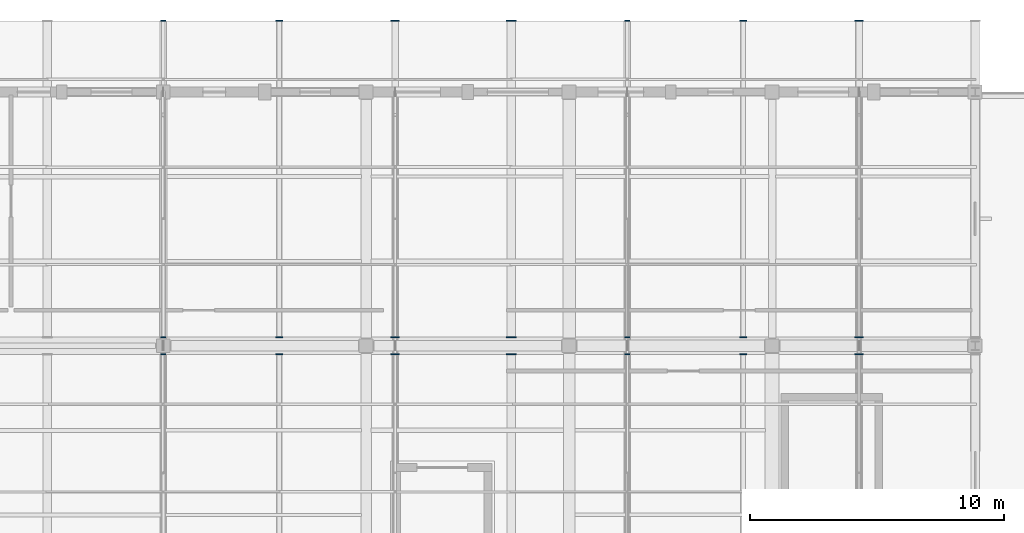
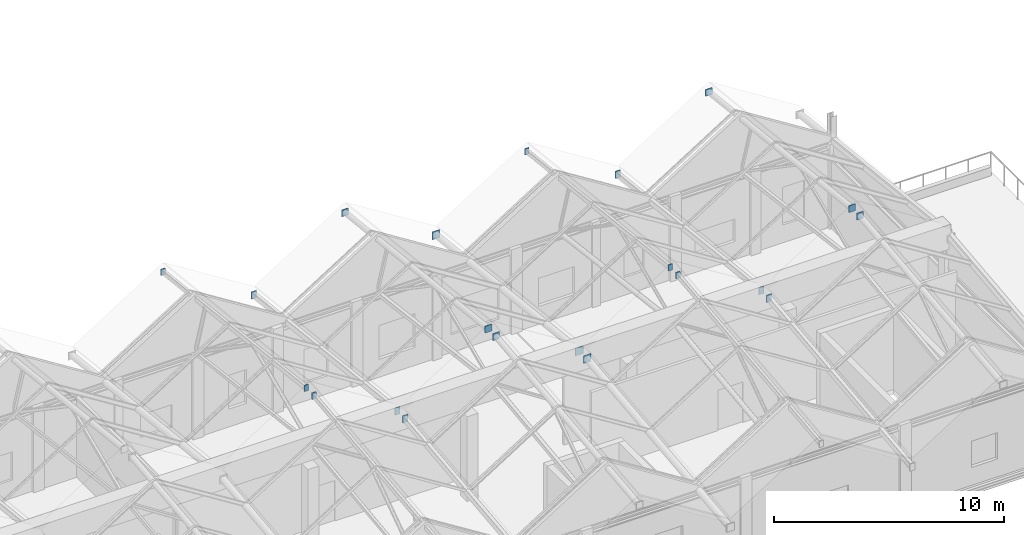
# One storey, part 160 of 183: 21 discrete accessories.
"""IFC4 building model written with IfcOpenShell, lengths in metres."""

from ifc_helpers import new_model, si_unit, direction, frame, origin, origin_2d, place, context, subcontext, project, spatial, rectangle, extrude, material, type_object, element, save


model = new_model("IFC4")

# Units and contexts
model_context = context("Model", 3, precision=1e-05, world=origin(), true_north=direction((0.0, 1.0)))
body_context = subcontext(model_context, "Body", "Model", "MODEL_VIEW")
ifc_project = project(units=[si_unit("LENGTHUNIT", "METRE"), si_unit("AREAUNIT", "SQUARE_METRE"), si_unit("VOLUMEUNIT", "CUBIC_METRE"), si_unit("PLANEANGLEUNIT", "RADIAN"), si_unit("MASSUNIT", "GRAM", prefix="KILO")], contexts=[model_context])

# Site, building, storey
site_placement = place(None, origin())
site = spatial("IfcSite", under=ifc_project, at=site_placement, CompositionType="ELEMENT")
building_placement = place(site_placement, origin())
building = spatial("IfcBuilding", under=site, at=building_placement, Name="Luwemba Playhouse", CompositionType="ELEMENT")
storey_placement = place(building_placement, frame((0.0, 0.0, 4.800048828125)))
storey = spatial("IfcBuildingStorey", under=building, at=storey_placement, Name="L01", CompositionType="ELEMENT", Elevation=4.800048828125)

# Discrete accessories
ifc_material = material(Name="Steel S355", Category="steel")
discrete_accessory_type = type_object("IfcDiscreteAccessoryType", Name="ACC-ENDCAP-S355", PredefinedType="BRACKET", material=ifc_material)
for number, where, z_axis, x_axis, name in (
    (1, (36.0, 104.664794921875, 8.21630859375), (0.0, 0.0, 1.0), (1.0, 0.0, 0.0), "Welded RHS end cap plate 0466"),
    (2, (36.0, 105.335205078125, 8.21630859375), (0.0, 0.0, 1.0), (1.0, 0.0, 0.0), "Welded RHS end cap plate 0467"),
    (3, (36.0, 117.81494140625, 6.81640625), (0.0, 0.0, 1.0), (1.0, 0.0, 0.0), "Welded RHS end cap plate 0468"),
):
    element("IfcDiscreteAccessory", number, at=place(storey_placement, frame(where, z_axis=z_axis, x_axis=x_axis)), inside=storey, type_object=discrete_accessory_type, Name=name, PredefinedType="BRACKET", context=body_context, shape_type="SweptSolid", body=[
        extrude(rectangle(XDim=0.2099609375, YDim=0.044921875, at=origin_2d()), origin(), (0.0, 0.0, 1.0), 0.330078125),
    ])
for number, where, z_axis, x_axis, name in (
    (4, (40.5712890625, 104.664794921875, 5.370361328125), (0.0, 0.0, 1.0), (1.0, 0.0, 0.0), "Welded RHS end cap plate 0470"),
    (5, (40.5712890625, 105.335205078125, 5.370361328125), (0.0, 0.0, 1.0), (1.0, 0.0, 0.0), "Welded RHS end cap plate 0471"),
    (6, (40.5712890625, 117.81494140625, 3.970458984375), (0.0, 0.0, 1.0), (1.0, 0.0, 0.0), "Welded RHS end cap plate 0472"),
):
    element("IfcDiscreteAccessory", number, at=place(storey_placement, frame(where, z_axis=z_axis, x_axis=x_axis)), inside=storey, type_object=discrete_accessory_type, Name=name, PredefinedType="BRACKET", context=body_context, shape_type="SweptSolid", body=[
        extrude(rectangle(XDim=0.260009765625, YDim=0.044921875, at=origin_2d()), origin(), (0.0, 0.0, 1.0), 0.3798828125),
    ])
for number, where, z_axis, x_axis, name in (
    (7, (45.142822265625, 104.664794921875, 8.154541015625), (0.0, 0.0, 1.0), (1.0, 0.0, 0.0), "Welded RHS end cap plate 0474"),
    (8, (45.142822265625, 105.335205078125, 8.154541015625), (0.0, 0.0, 1.0), (1.0, 0.0, 0.0), "Welded RHS end cap plate 0475"),
    (9, (45.142822265625, 117.81494140625, 6.754638671875), (0.0, 0.0, 1.0), (1.0, 0.0, 0.0), "Welded RHS end cap plate 0476"),
):
    element("IfcDiscreteAccessory", number, at=place(storey_placement, frame(where, z_axis=z_axis, x_axis=x_axis)), inside=storey, type_object=discrete_accessory_type, Name=name, PredefinedType="BRACKET", context=body_context, shape_type="SweptSolid", body=[
        extrude(rectangle(XDim=0.3330078125, YDim=0.044921875, at=origin_2d()), origin(), (0.0, 0.0, 1.0), 0.35302734375),
    ])
for number, where, z_axis, x_axis, name in (
    (10, (49.71435546875, 104.664794921875, 5.34619140625), (0.0, 0.0, 1.0), (1.0, 0.0, 0.0), "Welded RHS end cap plate 0478"),
    (11, (49.71435546875, 105.335205078125, 5.34619140625), (0.0, 0.0, 1.0), (1.0, 0.0, 0.0), "Welded RHS end cap plate 0479"),
    (12, (49.71435546875, 117.81494140625, 3.9462890625), (0.0, 0.0, 1.0), (1.0, 0.0, 0.0), "Welded RHS end cap plate 0480"),
):
    element("IfcDiscreteAccessory", number, at=place(storey_placement, frame(where, z_axis=z_axis, x_axis=x_axis)), inside=storey, type_object=discrete_accessory_type, Name=name, PredefinedType="BRACKET", context=body_context, shape_type="SweptSolid", body=[
        extrude(rectangle(XDim=0.384033203125, YDim=0.044921875, at=origin_2d()), origin(), (0.0, 0.0, 1.0), 0.404052734375),
    ])
for number, where, z_axis, x_axis, name in (
    (13, (54.28564453125, 104.664794921875, 8.21630859375), (0.0, 0.0, 1.0), (1.0, 0.0, 0.0), "Welded RHS end cap plate 0482"),
    (14, (54.28564453125, 105.335205078125, 8.21630859375), (0.0, 0.0, 1.0), (1.0, 0.0, 0.0), "Welded RHS end cap plate 0483"),
    (15, (54.28564453125, 117.81494140625, 6.81640625), (0.0, 0.0, 1.0), (1.0, 0.0, 0.0), "Welded RHS end cap plate 0484"),
):
    element("IfcDiscreteAccessory", number, at=place(storey_placement, frame(where, z_axis=z_axis, x_axis=x_axis)), inside=storey, type_object=discrete_accessory_type, Name=name, PredefinedType="BRACKET", context=body_context, shape_type="SweptSolid", body=[
        extrude(rectangle(XDim=0.2099609375, YDim=0.044921875, at=origin_2d()), origin(), (0.0, 0.0, 1.0), 0.330078125),
    ])
for number, where, z_axis, x_axis, name in (
    (16, (58.857177734375, 104.664794921875, 5.370361328125), (0.0, 0.0, 1.0), (1.0, 0.0, 0.0), "Welded RHS end cap plate 0486"),
    (17, (58.857177734375, 105.335205078125, 5.370361328125), (0.0, 0.0, 1.0), (1.0, 0.0, 0.0), "Welded RHS end cap plate 0487"),
    (18, (58.857177734375, 117.81494140625, 3.970458984375), (0.0, 0.0, 1.0), (1.0, 0.0, 0.0), "Welded RHS end cap plate 0488"),
):
    element("IfcDiscreteAccessory", number, at=place(storey_placement, frame(where, z_axis=z_axis, x_axis=x_axis)), inside=storey, type_object=discrete_accessory_type, Name=name, PredefinedType="BRACKET", context=body_context, shape_type="SweptSolid", body=[
        extrude(rectangle(XDim=0.260009765625, YDim=0.044921875, at=origin_2d()), origin(), (0.0, 0.0, 1.0), 0.3798828125),
    ])
for number, where, z_axis, x_axis, name in (
    (19, (63.4287109375, 104.664794921875, 8.154541015625), (0.0, 0.0, 1.0), (1.0, 0.0, 0.0), "Welded RHS end cap plate 0490"),
    (20, (63.4287109375, 105.335205078125, 8.154541015625), (0.0, 0.0, 1.0), (1.0, 0.0, 0.0), "Welded RHS end cap plate 0491"),
    (21, (63.4287109375, 117.81494140625, 6.754638671875), (0.0, 0.0, 1.0), (1.0, 0.0, 0.0), "Welded RHS end cap plate 0492"),
):
    element("IfcDiscreteAccessory", number, at=place(storey_placement, frame(where, z_axis=z_axis, x_axis=x_axis)), inside=storey, type_object=discrete_accessory_type, Name=name, PredefinedType="BRACKET", context=body_context, shape_type="SweptSolid", body=[
        extrude(rectangle(XDim=0.3330078125, YDim=0.044921875, at=origin_2d()), origin(), (0.0, 0.0, 1.0), 0.35302734375),
    ])

save(model, "model.ifc")
